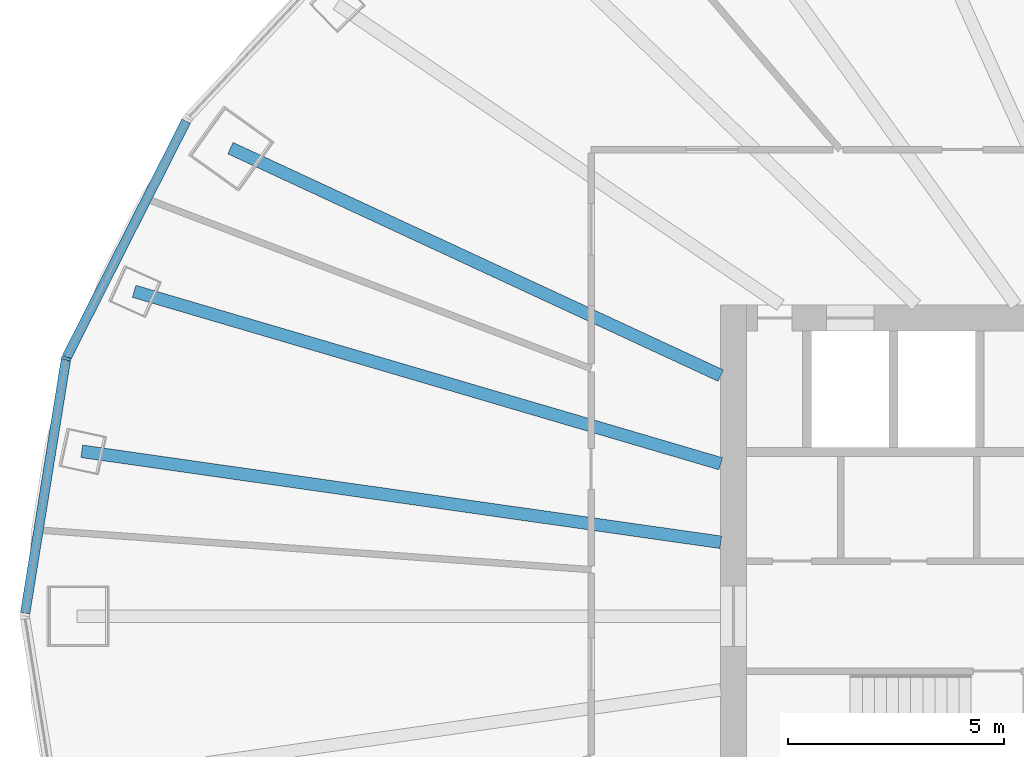
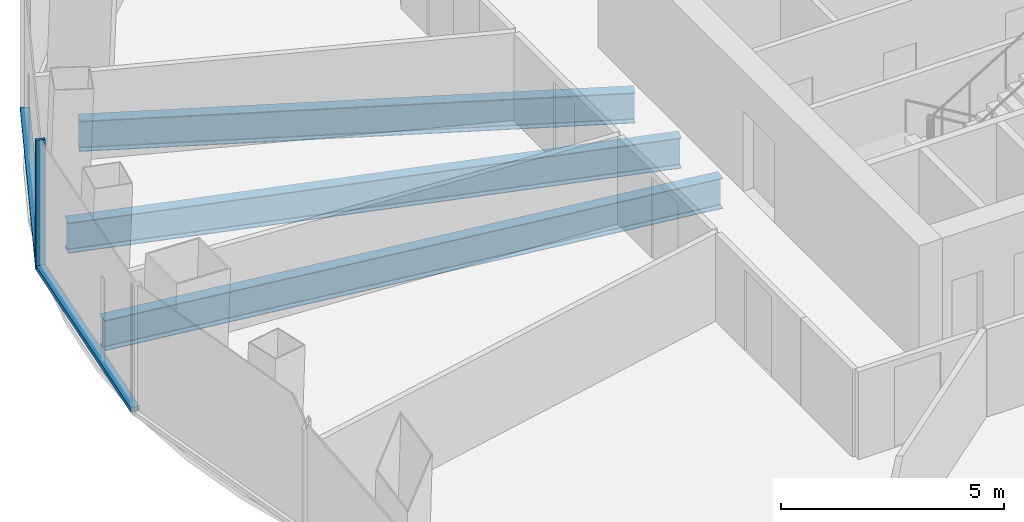
# One storey, part 3 of 11: 3 beams, 3 members, 1 element without a shape of its own.
"""IFC4 building model written with IfcOpenShell, lengths in metres."""

from ifc_helpers import new_model, si_unit, direction, frame, origin, origin_2d, place, context, subcontext, project, spatial, rectangle, i_section, extrude, material, layer, layer_set, material_profile, profile_set, type_object, element, aggregate, save


model = new_model("IFC4")

# Units and contexts
model_context = context("Model", 3, precision=1e-05, world=origin(), true_north=direction((0.0, 1.0)))
body_context = subcontext(model_context, "Body", "Model", "MODEL_VIEW")
ifc_project = project(units=[si_unit("LENGTHUNIT", "METRE"), si_unit("AREAUNIT", "SQUARE_METRE"), si_unit("VOLUMEUNIT", "CUBIC_METRE"), si_unit("PLANEANGLEUNIT", "RADIAN"), si_unit("MASSUNIT", "GRAM", prefix="KILO")], contexts=[model_context])

# Site, building, storey
site_placement = place(None, origin())
site = spatial("IfcSite", under=ifc_project, at=site_placement, CompositionType="ELEMENT")
building_placement = place(site_placement, origin())
building = spatial("IfcBuilding", under=site, at=building_placement, Name="Siaravel Broadcast Tower", CompositionType="ELEMENT")
storey_placement = place(building_placement, frame((0.0, 0.0, 44.5)))
storey = spatial("IfcBuildingStorey", under=building, at=storey_placement, Name="L09", CompositionType="ELEMENT", Elevation=44.5)

# Beams
ifc_material_1 = material(Name="Steel S355", Category="steel")
ifc_material_profile_1 = material_profile(ifc_material_1, i_section(OverallWidth=0.291748046875, OverallDepth=0.8349609375, WebThickness=0.013916015625, FlangeThickness=0.018798828125, FilletRadius=0.017822265625, at=origin_2d()))
ifc_profile_set_1 = profile_set([ifc_material_profile_1], Name="Steel S355")
beam_type = type_object("IfcBeamType", Name="BM-UB 838x292x176", PredefinedType="BEAM", material=ifc_profile_set_1)
beam_1_placement = place(storey_placement, frame((-23.351318359375, 10.834716796875, -0.5673828125), z_axis=(0.907113, -0.420887165, 0.0), x_axis=(0.420887165, 0.907113, 0.0)))
element("IfcBeam", 1, at=beam_1_placement, inside=storey, type_object=beam_type, Name="Radial beam RB16", PredefinedType="BEAM", context=body_context, shape_type="SweptSolid", body=[
    extrude(i_section(OverallWidth=0.291748046875, OverallDepth=0.8349609375, WebThickness=0.013916015625, FlangeThickness=0.018798828125, FilletRadius=0.017822265625, at=origin_2d()), origin(), (0.0, 0.0, 1.0), 12.513671875),
])
beam_2_placement = place(storey_placement, frame((-25.582275390625, 7.52001953125, -0.5673828125), z_axis=(0.959405859, -0.282029073, 0.0), x_axis=(0.282029073, 0.959405859, 0.0)))
element("IfcBeam", 2, at=beam_2_placement, inside=storey, type_object=beam_type, Name="Radial beam RB17", PredefinedType="BEAM", context=body_context, shape_type="SweptSolid", body=[
    extrude(i_section(OverallWidth=0.291748046875, OverallDepth=0.8349609375, WebThickness=0.013916015625, FlangeThickness=0.018798828125, FilletRadius=0.017822265625, at=origin_2d()), origin(), (0.0, 0.0, 1.0), 14.156982421875),
])
beam_3_placement = place(storey_placement, frame((-26.794677734375, 3.814697265625, -0.5673828125), z_axis=(0.990017993, -0.140941026, 0.0), x_axis=(0.140941026, 0.990017993, 0.0)))
element("IfcBeam", 3, at=beam_3_placement, inside=storey, type_object=beam_type, Name="Radial beam RB18", PredefinedType="BEAM", context=body_context, shape_type="SweptSolid", body=[
    extrude(i_section(OverallWidth=0.291748046875, OverallDepth=0.8349609375, WebThickness=0.013916015625, FlangeThickness=0.018798828125, FilletRadius=0.017822265625, at=origin_2d()), origin(), (0.0, 0.0, 1.0), 14.94384765625),
])

# Curtain wall, members
ifc_material_2 = material(Name="Aluminium 6063-T6", Category="aluminium")
ifc_layer = layer(ifc_material_2, 0.219970703125)
ifc_layer_set = layer_set([ifc_layer], Name="Aluminium 6063-T6")
curtain_wall_type = type_object("IfcCurtainWallType", Name="Unitised curtain wall, zone 1", PredefinedType="NOTDEFINED", material=ifc_layer_set)
curtain_wall_placement = place(storey_placement, origin())
curtain_wall = element("IfcCurtainWall", 4, at=curtain_wall_placement, inside=storey, type_object=curtain_wall_type, Name="L09 Unitised curtain wall, zone 1 06", PredefinedType="NOTDEFINED")
ifc_material_profile_2 = material_profile(ifc_material_2, rectangle(XDim=0.219970703125, YDim=0.070068359375, at=origin_2d()))
ifc_profile_set_2 = profile_set([ifc_material_profile_2], Name="Aluminium 6063-T6")
member_type_1 = type_object("IfcMemberType", Name="CW-Z1 mullion", PredefinedType="MULLION", material=ifc_profile_set_2)
member_1_placement = place(storey_placement, frame((-27.1572265625, 5.965576171875, 0.0), z_axis=(0.0, 0.0, 1.0), x_axis=(0.951177076, -0.308645704, 0.0)))
member_1 = element("IfcMember", 5, at=member_1_placement, type_object=member_type_1, Name="CW-Z1 mullion 2", PredefinedType="MULLION", context=body_context, shape_type="SweptSolid", body=[
    extrude(rectangle(XDim=0.219970703125, YDim=0.070068359375, at=origin_2d()), origin(), (0.0, 0.0, 1.0), 3.550048828125),
])
ifc_material_profile_3 = material_profile(ifc_material_2, rectangle(XDim=0.219970703125, YDim=0.1201171875, at=origin_2d()))
ifc_profile_set_3 = profile_set([ifc_material_profile_3], Name="Aluminium 6063-T6")
member_type_2 = type_object("IfcMemberType", Name="CW-Z1 transom", PredefinedType="USERDEFINED", material=ifc_profile_set_3)
member_2_placement = place(storey_placement, frame((-24.37841796875, 11.4609375, 0.06005859375), z_axis=(-0.451275958, -0.892384452, 0.0), x_axis=(0.892384452, -0.451275958, 0.0)))
member_2 = element("IfcMember", 6, at=member_2_placement, type_object=member_type_2, Name="CW-Z1 transom 1", ObjectType="TRANSOM", PredefinedType="USERDEFINED", context=body_context, shape_type="SweptSolid", body=[
    extrude(rectangle(XDim=0.219970703125, YDim=0.1201171875, at=origin_2d()), origin(), (0.0, 0.0, 1.0), 6.123046875),
])
member_3_placement = place(storey_placement, frame((-27.162841796875, 5.93115234375, 0.06005859375), z_axis=(-0.158681674, -0.987329796, 0.0), x_axis=(0.987329796, -0.158681674, 0.0)))
member_3 = element("IfcMember", 7, at=member_3_placement, type_object=member_type_2, Name="CW-Z1 transom 2", ObjectType="TRANSOM", PredefinedType="USERDEFINED", context=body_context, shape_type="SweptSolid", body=[
    extrude(rectangle(XDim=0.219970703125, YDim=0.1201171875, at=origin_2d()), origin(), (0.0, 0.0, 1.0), 5.937255859375),
])
aggregate(curtain_wall, [member_1, member_2, member_3])

save(model, "model.ifc")
